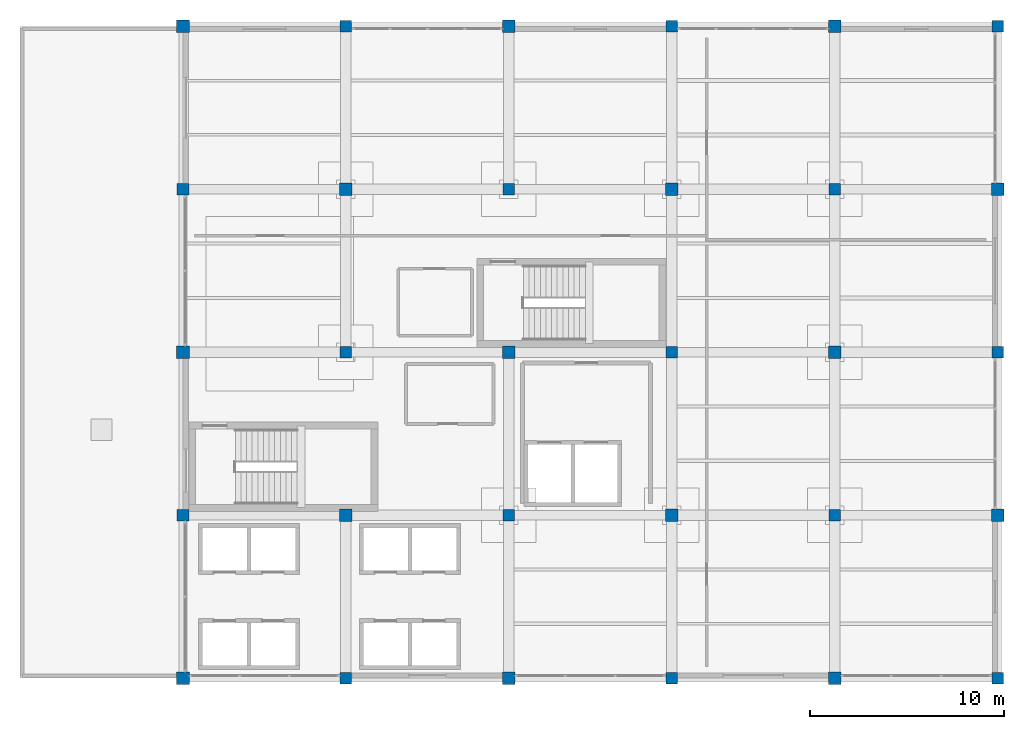
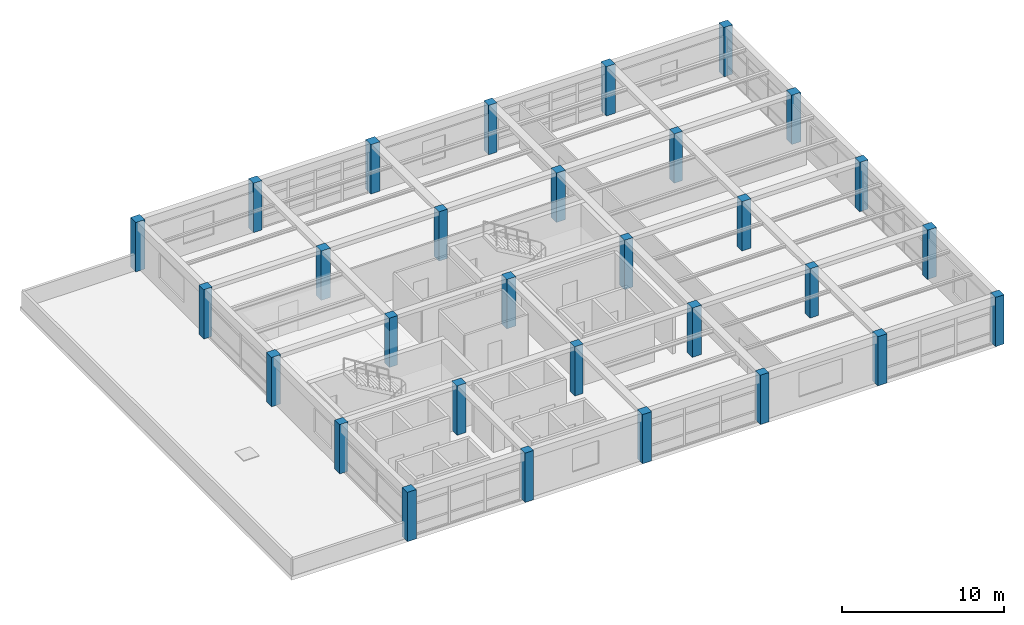
# One storey, part 1 of 26: 30 columns.
"""IFC4 building model written with IfcOpenShell, lengths in metres."""

from ifc_helpers import new_model, si_unit, direction, frame, origin, origin_2d, place, context, subcontext, project, spatial, rectangle, extrude, material, material_profile, profile_set, type_object, element, save


model = new_model("IFC4")

# Units and contexts
model_context = context("Model", 3, precision=1e-05, world=origin(), true_north=direction((0.0, 1.0)))
body_context = subcontext(model_context, "Body", "Model", "MODEL_VIEW")
ifc_project = project(units=[si_unit("LENGTHUNIT", "METRE"), si_unit("AREAUNIT", "SQUARE_METRE"), si_unit("VOLUMEUNIT", "CUBIC_METRE"), si_unit("PLANEANGLEUNIT", "RADIAN"), si_unit("MASSUNIT", "GRAM", prefix="KILO")], contexts=[model_context])

# Site, building, storey
site_placement = place(None, origin())
site = spatial("IfcSite", under=ifc_project, at=site_placement, CompositionType="ELEMENT")
building_placement = place(site_placement, origin())
building = spatial("IfcBuilding", under=site, at=building_placement, Name="Almacenes y Pasaje Nevantli", CompositionType="ELEMENT")
storey_placement = place(building_placement, frame((0.0, 0.0, 42.699951171875)))
storey = spatial("IfcBuildingStorey", under=building, at=storey_placement, Name="L10", CompositionType="ELEMENT", Elevation=42.699951171875)

# Columns
ifc_material_1 = material(Name="Concrete C45/55", Category="concrete")
ifc_material_profile_1 = material_profile(ifc_material_1, rectangle(XDim=0.60009765625, YDim=0.60009765625, at=origin_2d()), Name="RC-COL-600x600")
ifc_profile_set_1 = profile_set([ifc_material_profile_1], Name="Concrete C45/55")
column_type_1 = type_object("IfcColumnType", Name="COL-RC-600", PredefinedType="COLUMN", material=ifc_profile_set_1)
for number, where, z_axis, x_axis, name in (
    (1, (117.60009765625, 75.60009765625, 0.0), (0.0, 0.0, 1.0), (1.0, 0.0, 0.0), "L10 Reinforced Concrete Column CL-08 #2212"),
    (2, (117.60009765625, 92.39990234375, 0.0), (0.0, 0.0, 1.0), (1.0, 0.0, 0.0), "L10 Reinforced Concrete Column CL-08 #2214"),
    (3, (126.0, 67.199951171875, 0.0), (0.0, 0.0, 1.0), (1.0, 0.0, 0.0), "L10 Reinforced Concrete Column CL-08 #2216"),
    (4, (126.0, 84.0, 0.0), (0.0, 0.0, 1.0), (1.0, 0.0, 0.0), "L10 Reinforced Concrete Column CL-08 #2218"),
    (5, (126.0, 100.800048828125, 0.0), (0.0, 0.0, 1.0), (1.0, 0.0, 0.0), "L10 Reinforced Concrete Column CL-08 #2220"),
    (6, (134.39990234375, 75.60009765625, 0.0), (0.0, 0.0, 1.0), (1.0, 0.0, 0.0), "L10 Reinforced Concrete Column CL-08 #2222"),
    (7, (134.39990234375, 92.39990234375, 0.0), (0.0, 0.0, 1.0), (1.0, 0.0, 0.0), "L10 Reinforced Concrete Column CL-08 #2224"),
    (8, (142.800048828125, 67.199951171875, 0.0), (0.0, 0.0, 1.0), (1.0, 0.0, 0.0), "L10 Reinforced Concrete Column CL-08 #2226"),
    (9, (142.800048828125, 84.0, 0.0), (0.0, 0.0, 1.0), (1.0, 0.0, 0.0), "L10 Reinforced Concrete Column CL-08 #2228"),
    (10, (142.800048828125, 100.800048828125, 0.0), (0.0, 0.0, 1.0), (1.0, 0.0, 0.0), "L10 Reinforced Concrete Column CL-08 #2230"),
    (11, (151.199951171875, 75.60009765625, 0.0), (0.0, 0.0, 1.0), (1.0, 0.0, 0.0), "L10 Reinforced Concrete Column CL-08 #2232"),
    (12, (151.199951171875, 92.39990234375, 0.0), (0.0, 0.0, 1.0), (1.0, 0.0, 0.0), "L10 Reinforced Concrete Column CL-08 #2234"),
    (13, (159.60009765625, 67.199951171875, 0.0), (0.0, 0.0, 1.0), (1.0, 0.0, 0.0), "L10 Reinforced Concrete Column CL-08 #2236"),
    (14, (159.60009765625, 84.0, 0.0), (0.0, 0.0, 1.0), (1.0, 0.0, 0.0), "L10 Reinforced Concrete Column CL-08 #2238"),
    (15, (159.60009765625, 100.800048828125, 0.0), (0.0, 0.0, 1.0), (1.0, 0.0, 0.0), "L10 Reinforced Concrete Column CL-08 #2240"),
):
    element("IfcColumn", number, at=place(storey_placement, frame(where, z_axis=z_axis, x_axis=x_axis)), inside=storey, type_object=column_type_1, Name=name, PredefinedType="COLUMN", context=body_context, shape_type="SweptSolid", body=[
        extrude(rectangle(XDim=0.60009765625, YDim=0.60009765625, at=origin_2d()), origin(), (0.0, 0.0, 1.0), 3.719970703125),
    ])
ifc_material_2 = material(Name="Concrete C45/55", Category="concrete")
ifc_material_profile_2 = material_profile(ifc_material_2, rectangle(XDim=0.64990234375, YDim=0.64990234375, at=origin_2d()), Name="RC-COL-650x650")
ifc_profile_set_2 = profile_set([ifc_material_profile_2], Name="Concrete C45/55")
column_type_2 = type_object("IfcColumnType", Name="COL-RC-650", PredefinedType="COLUMN", material=ifc_profile_set_2)
for number, where, z_axis, x_axis, name in (
    (16, (117.60009765625, 67.199951171875, 0.0), (0.0, 0.0, 1.0), (1.0, 0.0, 0.0), "L10 Reinforced Concrete Column CL-07 #2211"),
    (17, (117.60009765625, 84.0, 0.0), (0.0, 0.0, 1.0), (1.0, 0.0, 0.0), "L10 Reinforced Concrete Column CL-07 #2213"),
    (18, (117.60009765625, 100.800048828125, 0.0), (0.0, 0.0, 1.0), (1.0, 0.0, 0.0), "L10 Reinforced Concrete Column CL-07 #2215"),
    (19, (126.0, 75.60009765625, 0.0), (0.0, 0.0, 1.0), (1.0, 0.0, 0.0), "L10 Reinforced Concrete Column CL-07 #2217"),
    (20, (126.0, 92.39990234375, 0.0), (0.0, 0.0, 1.0), (1.0, 0.0, 0.0), "L10 Reinforced Concrete Column CL-07 #2219"),
    (21, (134.39990234375, 67.199951171875, 0.0), (0.0, 0.0, 1.0), (1.0, 0.0, 0.0), "L10 Reinforced Concrete Column CL-07 #2221"),
    (22, (134.39990234375, 84.0, 0.0), (0.0, 0.0, 1.0), (1.0, 0.0, 0.0), "L10 Reinforced Concrete Column CL-07 #2223"),
    (23, (134.39990234375, 100.800048828125, 0.0), (0.0, 0.0, 1.0), (1.0, 0.0, 0.0), "L10 Reinforced Concrete Column CL-07 #2225"),
    (24, (142.800048828125, 75.60009765625, 0.0), (0.0, 0.0, 1.0), (1.0, 0.0, 0.0), "L10 Reinforced Concrete Column CL-07 #2227"),
    (25, (142.800048828125, 92.39990234375, 0.0), (0.0, 0.0, 1.0), (1.0, 0.0, 0.0), "L10 Reinforced Concrete Column CL-07 #2229"),
    (26, (151.199951171875, 67.199951171875, 0.0), (0.0, 0.0, 1.0), (1.0, 0.0, 0.0), "L10 Reinforced Concrete Column CL-07 #2231"),
    (27, (151.199951171875, 84.0, 0.0), (0.0, 0.0, 1.0), (1.0, 0.0, 0.0), "L10 Reinforced Concrete Column CL-07 #2233"),
    (28, (151.199951171875, 100.800048828125, 0.0), (0.0, 0.0, 1.0), (1.0, 0.0, 0.0), "L10 Reinforced Concrete Column CL-07 #2235"),
    (29, (159.60009765625, 75.60009765625, 0.0), (0.0, 0.0, 1.0), (1.0, 0.0, 0.0), "L10 Reinforced Concrete Column CL-07 #2237"),
    (30, (159.60009765625, 92.39990234375, 0.0), (0.0, 0.0, 1.0), (1.0, 0.0, 0.0), "L10 Reinforced Concrete Column CL-07 #2239"),
):
    element("IfcColumn", number, at=place(storey_placement, frame(where, z_axis=z_axis, x_axis=x_axis)), inside=storey, type_object=column_type_2, Name=name, PredefinedType="COLUMN", context=body_context, shape_type="SweptSolid", body=[
        extrude(rectangle(XDim=0.64990234375, YDim=0.64990234375, at=origin_2d()), origin(), (0.0, 0.0, 1.0), 3.719970703125),
    ])

save(model, "model.ifc")
